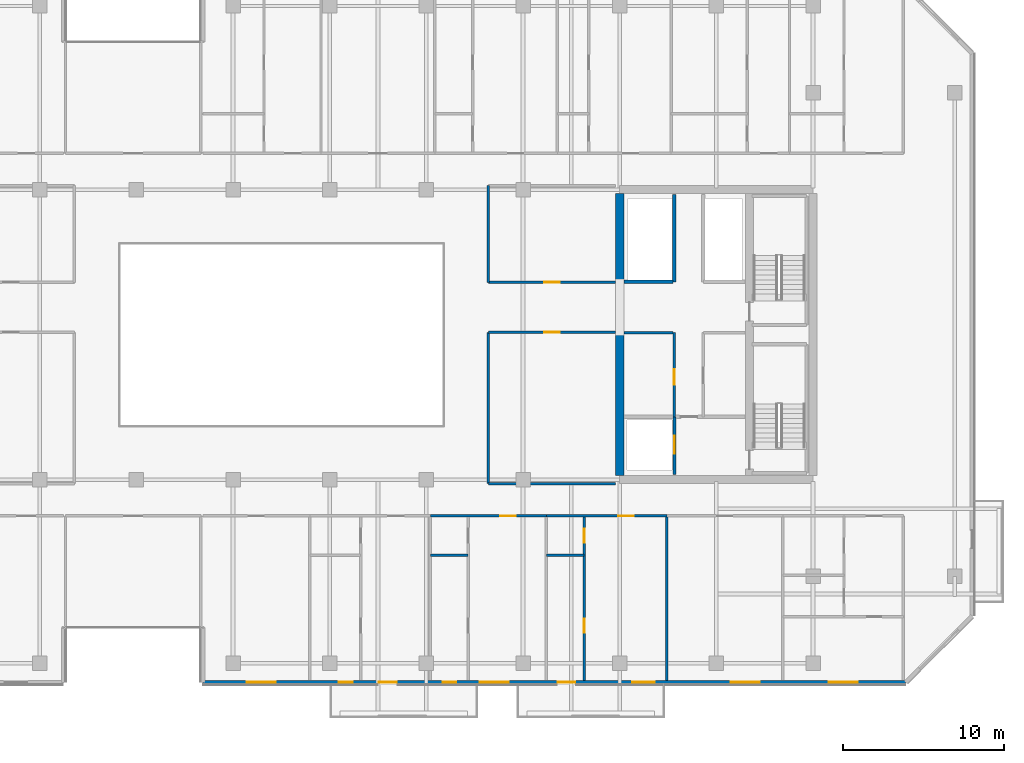
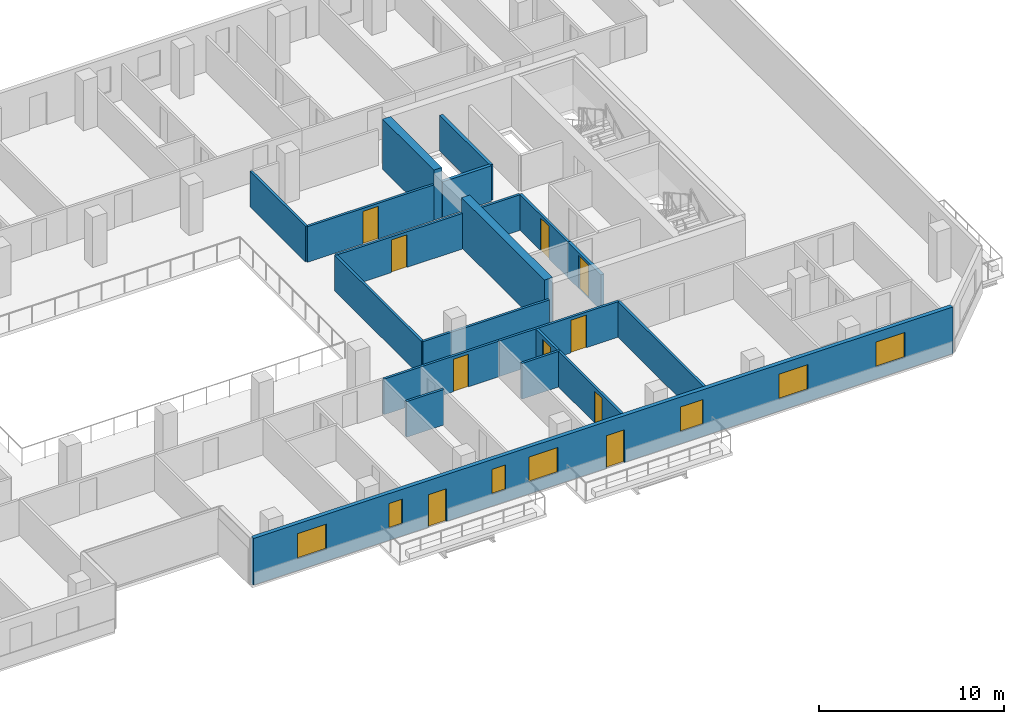
# One storey, part 11 of 19: 19 walls, 10 doors, 7 windows, 17 openings.
"""IFC4 building model written with IfcOpenShell, lengths in metres."""

from ifc_helpers import new_model, si_unit, direction, frame, frame_2d, origin, place, context, subcontext, project, spatial, rectangle, extrude, material, layer, layer_set, type_object, element, fill, save


model = new_model("IFC4")

# Units and contexts
model_context = context("Model", 3, precision=1e-05, world=origin(), true_north=direction((0.0, 1.0)))
body_context = subcontext(model_context, "Body", "Model", "MODEL_VIEW")
ifc_project = project(units=[si_unit("LENGTHUNIT", "METRE"), si_unit("AREAUNIT", "SQUARE_METRE"), si_unit("VOLUMEUNIT", "CUBIC_METRE"), si_unit("PLANEANGLEUNIT", "RADIAN"), si_unit("MASSUNIT", "GRAM", prefix="KILO")], contexts=[model_context])

# Site, building, storey
site_placement = place(None, origin())
site = spatial("IfcSite", under=ifc_project, at=site_placement, CompositionType="ELEMENT")
building_placement = place(site_placement, origin())
building = spatial("IfcBuilding", under=site, at=building_placement, Name="Tanjung Sevakor Pilgrim Tower", CompositionType="ELEMENT")
storey_placement = place(building_placement, frame((0.0, 0.0, 132.0)))
storey = spatial("IfcBuildingStorey", under=building, at=storey_placement, Name="L36", CompositionType="ELEMENT", Elevation=132.0)

# Walls
ifc_material_1 = material(Name="Concrete C60/75", Category="concrete")
ifc_layer_1 = layer(ifc_material_1, 0.5)
ifc_layer_set_1 = layer_set([ifc_layer_1], Name="WALL-CW-500")
wall_type_1 = type_object("IfcWallType", Name="WALL-CW-500", PredefinedType="SHEAR", material=ifc_layer_set_1)
wall_1_placement = place(storey_placement, frame((78.0, 24.85009765625, 0.0), z_axis=(0.0, 0.0, 1.0), x_axis=(0.0, 1.0, 0.0)))
element("IfcWall", 1, at=wall_1_placement, inside=storey, type_object=wall_type_1, Name="L36 E Core Inner Shear Wall South", PredefinedType="SHEAR", context=body_context, shape_type="SweptSolid", body=[
    extrude(rectangle(XDim=8.949951171875, YDim=0.5, at=frame_2d((4.47509765625, 0.0))), origin(), (0.0, 0.0, 1.0), 3.300048828125),
])
wall_2_placement = place(storey_placement, frame((78.0, 36.800048828125, 0.0), z_axis=(0.0, 0.0, 1.0), x_axis=(0.0, 1.0, 0.0)))
element("IfcWall", 2, at=wall_2_placement, inside=storey, type_object=wall_type_1, Name="L36 E Core Inner Shear Wall North", PredefinedType="SHEAR", context=body_context, shape_type="SweptSolid", body=[
    extrude(rectangle(XDim=5.550048828125, YDim=0.5, at=frame_2d((2.77490234375, 0.0))), origin(), (0.0, 0.0, 1.0), 3.300048828125),
])
ifc_material_2 = material(Name="Concrete C40/50", Category="concrete")
ifc_layer_2 = layer(ifc_material_2, 0.14990234375)
ifc_layer_set_2 = layer_set([ifc_layer_2], Name="WT-COMP-150")
wall_type_2 = type_object("IfcWallType", Name="WT-COMP-150", PredefinedType="SOLIDWALL", material=ifc_layer_set_2)
wall_3_placement = place(storey_placement, frame((78.27001953125, 33.719970703125, 0.0), z_axis=(0.0, 0.0, 1.0), x_axis=(1.0, 0.0, 0.0)))
element("IfcWall", 3, at=wall_3_placement, inside=storey, type_object=wall_type_2, Name="L36 Partition IW-L36-015", PredefinedType="SOLIDWALL", context=body_context, shape_type="SweptSolid", body=[
    extrude(rectangle(XDim=3.050048828125, YDim=0.14990234375, at=frame_2d((1.52490234375, 0.0))), origin(), (0.0, 0.0, 1.0), 2.35009765625),
])

# Wall, opening, door
wall_4_placement = place(storey_placement, frame((81.3798828125, 28.5, 0.0), z_axis=(0.0, 0.0, 1.0), x_axis=(0.0, 1.0, 0.0)))
wall_4 = element("IfcWall", 4, at=wall_4_placement, inside=storey, type_object=wall_type_2, Name="L36 Partition IW-L36-016", PredefinedType="SOLIDWALL", context=body_context, shape_type="SweptSolid", body=[
    extrude(rectangle(XDim=5.219970703125, YDim=0.14990234375, at=frame_2d((2.60986328125, 0.0))), origin(), (0.0, 0.0, 1.0), 2.35009765625),
])
opening_1_placement = place(wall_4_placement, frame((2.0, 0.0, 0.0)))
opening_1 = element("IfcOpeningElement", 5, at=opening_1_placement, cuts=wall_4, Name="Opening ID-FD2", PredefinedType="OPENING", context=body_context, shape_type="SweptSolid", body=[
    extrude(rectangle(XDim=0.949951171875, YDim=2.14990234375, at=frame_2d((0.47509765625, 1.074951171875))), frame((0.0, 0.0849609375, 0.0), z_axis=(0.0, -1.0, 0.0), x_axis=(1.0, 0.0, 0.0)), (0.0, 0.0, 1.0), 0.169921875),
])
ifc_material_3 = material(Name="Fire-Rated Timber", Category="wood")
door_type_1 = type_object("IfcDoorType", Name="DT-FIRE-950", OperationType="NOTDEFINED", PredefinedType="DOOR", material=ifc_material_3)
door_1_placement = place(opening_1_placement, origin())
door_1 = element("IfcDoor", 6, at=door_1_placement, inside=storey, type_object=door_type_1, Name="L36 Accessible WC Door", OperationType="SINGLE_SWING_RIGHT", OverallHeight=2.14990234375, OverallWidth=0.949951171875, PredefinedType="DOOR", context=body_context, shape_type="SweptSolid", body=[
    extrude(rectangle(XDim=0.949951171875, YDim=2.14990234375, at=frame_2d((0.47509765625, 1.074951171875))), frame((0.0, 0.02490234375, 0.0), z_axis=(0.0, -1.0, 0.0), x_axis=(1.0, 0.0, 0.0)), (0.0, 0.0, 1.0), 0.050048828125),
])
fill(opening_1, door_1)

# Wall
wall_5_placement = place(storey_placement, frame((69.85009765625, 24.35009765625, 0.0), z_axis=(0.0, 0.0, 1.0), x_axis=(1.0, 0.0, 0.0)))
element("IfcWall", 7, at=wall_5_placement, inside=storey, type_object=wall_type_2, Name="L36 Partition IW-L36-027", PredefinedType="SOLIDWALL", context=body_context, shape_type="SweptSolid", body=[
    extrude(rectangle(XDim=7.8798828125, YDim=0.14990234375, at=frame_2d((3.93994140625, 0.0))), origin(), (0.0, 0.0, 1.0), 2.35009765625),
])

# Wall, opening, door
wall_6_placement = place(storey_placement, frame((69.85009765625, 33.75, 0.0), z_axis=(0.0, 0.0, 1.0), x_axis=(1.0, 0.0, 0.0)))
wall_6 = element("IfcWall", 8, at=wall_6_placement, inside=storey, type_object=wall_type_2, Name="L36 Partition IW-L36-028", PredefinedType="SOLIDWALL", context=body_context, shape_type="SweptSolid", body=[
    extrude(rectangle(XDim=7.8798828125, YDim=0.14990234375, at=frame_2d((3.93994140625, 0.0))), origin(), (0.0, 0.0, 1.0), 2.35009765625),
])
opening_2_placement = place(wall_6_placement, frame((3.465087890625, 0.0, 0.0)))
opening_2 = element("IfcOpeningElement", 9, at=opening_2_placement, cuts=wall_6, Name="Opening ID-RM1", PredefinedType="OPENING", context=body_context, shape_type="SweptSolid", body=[
    extrude(rectangle(XDim=0.949951171875, YDim=2.14990234375, at=frame_2d((0.47509765625, 1.074951171875))), frame((0.0, 0.0849609375, 0.0), z_axis=(0.0, -1.0, 0.0), x_axis=(1.0, 0.0, 0.0)), (0.0, 0.0, 1.0), 0.169921875),
])
ifc_material_4 = material(Name="Hardwood Timber", Category="wood")
door_type_2 = type_object("IfcDoorType", Name="DT-INT-950", OperationType="NOTDEFINED", PredefinedType="DOOR", material=ifc_material_4)
door_2_placement = place(opening_2_placement, origin())
door_2 = element("IfcDoor", 10, at=door_2_placement, inside=storey, type_object=door_type_2, Name="L36 East Inboard South Door", OperationType="SINGLE_SWING_LEFT", OverallHeight=2.14990234375, OverallWidth=0.949951171875, PredefinedType="DOOR", context=body_context, shape_type="SweptSolid", body=[
    extrude(rectangle(XDim=0.949951171875, YDim=2.14990234375, at=frame_2d((0.47509765625, 1.074951171875))), frame((0.0, 0.02490234375, 0.0), z_axis=(0.0, -1.0, 0.0), x_axis=(1.0, 0.0, 0.0)), (0.0, 0.0, 1.0), 0.050048828125),
])
fill(opening_2, door_2)

# Wall
wall_7_placement = place(storey_placement, frame((69.85009765625, 24.35009765625, 0.0), z_axis=(0.0, 0.0, 1.0), x_axis=(0.0, 1.0, 0.0)))
element("IfcWall", 11, at=wall_7_placement, inside=storey, type_object=wall_type_2, Name="L36 Partition IW-L36-029", PredefinedType="SOLIDWALL", context=body_context, shape_type="SweptSolid", body=[
    extrude(rectangle(XDim=9.39990234375, YDim=0.14990234375, at=frame_2d((4.699951171875, 0.0))), origin(), (0.0, 0.0, 1.0), 2.35009765625),
])

# Wall, opening, door
wall_8_placement = place(storey_placement, frame((69.85009765625, 36.85009765625, 0.0), z_axis=(0.0, 0.0, 1.0), x_axis=(1.0, 0.0, 0.0)))
wall_8 = element("IfcWall", 12, at=wall_8_placement, inside=storey, type_object=wall_type_2, Name="L36 Partition IW-L36-030", PredefinedType="SOLIDWALL", context=body_context, shape_type="SweptSolid", body=[
    extrude(rectangle(XDim=7.8798828125, YDim=0.14990234375, at=frame_2d((3.93994140625, 0.0))), origin(), (0.0, 0.0, 1.0), 2.35009765625),
])
opening_3_placement = place(wall_8_placement, frame((3.465087890625, 0.0, 0.0)))
opening_3 = element("IfcOpeningElement", 13, at=opening_3_placement, cuts=wall_8, Name="Opening ID-RM1", PredefinedType="OPENING", context=body_context, shape_type="SweptSolid", body=[
    extrude(rectangle(XDim=0.949951171875, YDim=2.14990234375, at=frame_2d((0.47509765625, 1.074951171875))), frame((0.0, 0.0849609375, 0.0), z_axis=(0.0, -1.0, 0.0), x_axis=(1.0, 0.0, 0.0)), (0.0, 0.0, 1.0), 0.169921875),
])
door_3_placement = place(opening_3_placement, origin())
door_3 = element("IfcDoor", 14, at=door_3_placement, inside=storey, type_object=door_type_2, Name="L36 East Inboard North Door", OperationType="SINGLE_SWING_RIGHT", OverallHeight=2.14990234375, OverallWidth=0.949951171875, PredefinedType="DOOR", context=body_context, shape_type="SweptSolid", body=[
    extrude(rectangle(XDim=0.949951171875, YDim=2.14990234375, at=frame_2d((0.47509765625, 1.074951171875))), frame((0.0, 0.02490234375, 0.0), z_axis=(0.0, -1.0, 0.0), x_axis=(1.0, 0.0, 0.0)), (0.0, 0.0, 1.0), 0.050048828125),
])
fill(opening_3, door_3)

# Wall
wall_9_placement = place(storey_placement, frame((69.85009765625, 36.85009765625, 0.0), z_axis=(0.0, 0.0, 1.0), x_axis=(0.0, 1.0, 0.0)))
element("IfcWall", 15, at=wall_9_placement, inside=storey, type_object=wall_type_2, Name="L36 Partition IW-L36-032", PredefinedType="SOLIDWALL", context=body_context, shape_type="SweptSolid", body=[
    extrude(rectangle(XDim=6.0, YDim=0.14990234375, at=frame_2d((3.0, 0.0))), origin(), (0.0, 0.0, 1.0), 2.35009765625),
])

# Wall, opening, door
wall_10_placement = place(storey_placement, frame((66.244140625, 22.35009765625, 0.0), z_axis=(0.0, 0.0, 1.0), x_axis=(1.0, 0.0, 0.0)))
wall_10 = element("IfcWall", 16, at=wall_10_placement, inside=storey, type_object=wall_type_2, Name="L36 Partition IW-L36-059", PredefinedType="SOLIDWALL", context=body_context, shape_type="SweptSolid", body=[
    extrude(rectangle(XDim=7.200439453125, YDim=0.14990234375, at=frame_2d((3.60009765625, 0.0))), origin(), (0.0, 0.0, 1.0), 2.35009765625),
])
opening_4_placement = place(wall_10_placement, frame((4.34033203125, 0.0, 0.0)))
opening_4 = element("IfcOpeningElement", 17, at=opening_4_placement, cuts=wall_10, Name="Opening ID-FD2", PredefinedType="OPENING", context=body_context, shape_type="SweptSolid", body=[
    extrude(rectangle(XDim=0.949951171875, YDim=2.14990234375, at=frame_2d((0.47509765625, 1.074951171875))), frame((0.0, 0.0849609375, 0.0), z_axis=(0.0, -1.0, 0.0), x_axis=(1.0, 0.0, 0.0)), (0.0, 0.0, 1.0), 0.169921875),
])
door_4_placement = place(opening_4_placement, origin())
door_4 = element("IfcDoor", 18, at=door_4_placement, inside=storey, type_object=door_type_1, Name="Hostel Quad Entrance", OperationType="SINGLE_SWING_LEFT", OverallHeight=2.14990234375, OverallWidth=0.949951171875, PredefinedType="DOOR", context=body_context, shape_type="SweptSolid", body=[
    extrude(rectangle(XDim=0.949951171875, YDim=2.14990234375, at=frame_2d((0.47509765625, 1.074951171875))), frame((0.0, 0.02490234375, 0.0), z_axis=(0.0, -1.0, 0.0), x_axis=(1.0, 0.0, 0.0)), (0.0, 0.0, 1.0), 0.050048828125),
])
fill(opening_4, door_4)

# Wall
wall_11_placement = place(storey_placement, frame((80.922119140625, 12.14990234375, 0.0), z_axis=(0.0, 0.0, 1.0), x_axis=(0.0, 1.0, 0.0)))
element("IfcWall", 19, at=wall_11_placement, inside=storey, type_object=wall_type_2, Name="L36 Partition IW-L36-060", PredefinedType="SOLIDWALL", context=body_context, shape_type="SweptSolid", body=[
    extrude(rectangle(XDim=10.2001953125, YDim=0.14990234375, at=frame_2d((5.10009765625, 0.0))), origin(), (0.0, 0.0, 1.0), 2.35009765625),
])

# Wall, opening, door
wall_12_placement = place(storey_placement, frame((73.444580078125, 22.35009765625, 0.0), z_axis=(0.0, 0.0, 1.0), x_axis=(1.0, 0.0, 0.0)))
wall_12 = element("IfcWall", 20, at=wall_12_placement, inside=storey, type_object=wall_type_2, Name="L36 Partition IW-L36-063", PredefinedType="SOLIDWALL", context=body_context, shape_type="SweptSolid", body=[
    extrude(rectangle(XDim=7.4775390625, YDim=0.14990234375, at=frame_2d((3.73876953125, 0.0))), origin(), (0.0, 0.0, 1.0), 2.35009765625),
])
opening_5_placement = place(wall_12_placement, frame((4.478759765625, 0.0, 0.0)))
opening_5 = element("IfcOpeningElement", 21, at=opening_5_placement, cuts=wall_12, Name="Opening ID-FD2", PredefinedType="OPENING", context=body_context, shape_type="SweptSolid", body=[
    extrude(rectangle(XDim=0.949951171875, YDim=2.14990234375, at=frame_2d((0.47509765625, 1.074951171875))), frame((0.0, 0.0849609375, 0.0), z_axis=(0.0, -1.0, 0.0), x_axis=(1.0, 0.0, 0.0)), (0.0, 0.0, 1.0), 0.169921875),
])
door_5_placement = place(opening_5_placement, origin())
door_5 = element("IfcDoor", 22, at=door_5_placement, inside=storey, type_object=door_type_1, Name="Hostel Quad Entrance", OperationType="SINGLE_SWING_RIGHT", OverallHeight=2.14990234375, OverallWidth=0.949951171875, PredefinedType="DOOR", context=body_context, shape_type="SweptSolid", body=[
    extrude(rectangle(XDim=0.949951171875, YDim=2.14990234375, at=frame_2d((0.47509765625, 1.074951171875))), frame((0.0, 0.02490234375, 0.0), z_axis=(0.0, -1.0, 0.0), x_axis=(1.0, 0.0, 0.0)), (0.0, 0.0, 1.0), 0.050048828125),
])
fill(opening_5, door_5)

# Wall, openings, doors, windows
ifc_material_5 = material(Name="Precast concrete C45/55", Category="concrete")
ifc_layer_3 = layer(ifc_material_5, 0.25)
ifc_layer_set_3 = layer_set([ifc_layer_3], Name="WT-EW-STN3")
wall_type_3 = type_object("IfcWallType", Name="WT-EW-STN3", PredefinedType="SOLIDWALL", material=ifc_layer_set_3)
wall_13_placement = place(storey_placement, frame((52.125, 12.02490234375, 0.0), z_axis=(0.0, 0.0, 1.0), x_axis=(1.0, 0.0, 0.0)))
wall_13 = element("IfcWall", 23, at=wall_13_placement, inside=storey, type_object=wall_type_3, Name="L36 MAIN Exterior Wall 5", PredefinedType="SOLIDWALL", context=body_context, shape_type="SweptSolid", body=[
    extrude(rectangle(XDim=43.623291015625, YDim=0.25, at=frame_2d((21.8115234375, 0.0))), origin(), (0.0, 0.0, 1.0), 3.080078125),
])
opening_6_placement = place(wall_13_placement, frame((10.925048828125, 0.0, 0.0)))
opening_6 = element("IfcOpeningElement", 24, at=opening_6_placement, cuts=wall_13, Name="Opening ED-BAL-1100", PredefinedType="OPENING", context=body_context, shape_type="SweptSolid", body=[
    extrude(rectangle(XDim=1.10009765625, YDim=2.14990234375, at=frame_2d((0.550048828125, 1.074951171875))), frame((0.0, 0.135009765625, 0.0), z_axis=(0.0, -1.0, 0.0), x_axis=(1.0, 0.0, 0.0)), (0.0, 0.0, 1.0), 0.27001953125),
])
opening_7_placement = place(wall_13_placement, frame((22.02490234375, 0.0, 0.0)))
opening_7 = element("IfcOpeningElement", 25, at=opening_7_placement, cuts=wall_13, Name="Opening ED-BAL-1100", PredefinedType="OPENING", context=body_context, shape_type="SweptSolid", body=[
    extrude(rectangle(XDim=1.10009765625, YDim=2.14990234375, at=frame_2d((0.550048828125, 1.074951171875))), frame((0.0, 0.135009765625, 0.0), z_axis=(0.0, -1.0, 0.0), x_axis=(1.0, 0.0, 0.0)), (0.0, 0.0, 1.0), 0.27001953125),
])
opening_8_placement = place(wall_13_placement, frame((2.73828125, 0.0, 0.780029296875)))
opening_8 = element("IfcOpeningElement", 26, at=opening_8_placement, cuts=wall_13, Name="Opening WN-Z3-1660", PredefinedType="OPENING", context=body_context, shape_type="SweptSolid", body=[
    extrude(rectangle(XDim=1.800048828125, YDim=1.659912109375, at=frame_2d((0.89990234375, 0.830078125))), frame((0.0, 0.135009765625, 0.0), z_axis=(0.0, -1.0, 0.0), x_axis=(1.0, 0.0, 0.0)), (0.0, 0.0, 1.0), 0.27001953125),
])
opening_9_placement = place(wall_13_placement, frame((8.443359375, 0.0, 0.780029296875)))
opening_9 = element("IfcOpeningElement", 27, at=opening_9_placement, cuts=wall_13, Name="Opening WN-SLM", PredefinedType="OPENING", context=body_context, shape_type="SweptSolid", body=[
    extrude(rectangle(XDim=0.85009765625, YDim=1.64990234375, at=frame_2d((0.425048828125, 0.824951171875))), frame((0.0, 0.135009765625, 0.0), z_axis=(0.0, -1.0, 0.0), x_axis=(1.0, 0.0, 0.0)), (0.0, 0.0, 1.0), 0.27001953125),
])
opening_10_placement = place(wall_13_placement, frame((14.879150390625, 0.0, 0.780029296875)))
opening_10 = element("IfcOpeningElement", 28, at=opening_10_placement, cuts=wall_13, Name="Opening WN-SLM", PredefinedType="OPENING", context=body_context, shape_type="SweptSolid", body=[
    extrude(rectangle(XDim=0.85009765625, YDim=1.64990234375, at=frame_2d((0.425048828125, 0.824951171875))), frame((0.0, 0.135009765625, 0.0), z_axis=(0.0, -1.0, 0.0), x_axis=(1.0, 0.0, 0.0)), (0.0, 0.0, 1.0), 0.27001953125),
])
opening_11_placement = place(wall_13_placement, frame((17.184326171875, 0.0, 0.780029296875)))
opening_11 = element("IfcOpeningElement", 29, at=opening_11_placement, cuts=wall_13, Name="Opening WN-Z3-1660", PredefinedType="OPENING", context=body_context, shape_type="SweptSolid", body=[
    extrude(rectangle(XDim=1.800048828125, YDim=1.659912109375, at=frame_2d((0.89990234375, 0.830078125))), frame((0.0, 0.135009765625, 0.0), z_axis=(0.0, -1.0, 0.0), x_axis=(1.0, 0.0, 0.0)), (0.0, 0.0, 1.0), 0.27001953125),
])
opening_12_placement = place(wall_13_placement, frame((26.643310546875, 0.0, 0.780029296875)))
opening_12 = element("IfcOpeningElement", 30, at=opening_12_placement, cuts=wall_13, Name="Opening WN-END", PredefinedType="OPENING", context=body_context, shape_type="SweptSolid", body=[
    extrude(rectangle(XDim=1.39990234375, YDim=1.64990234375, at=frame_2d((0.699951171875, 0.824951171875))), frame((0.0, 0.135009765625, 0.0), z_axis=(0.0, -1.0, 0.0), x_axis=(1.0, 0.0, 0.0)), (0.0, 0.0, 1.0), 0.27001953125),
])
opening_13_placement = place(wall_13_placement, frame((32.77734375, 0.0, 0.780029296875)))
opening_13 = element("IfcOpeningElement", 31, at=opening_13_placement, cuts=wall_13, Name="Opening WN-Z3-1660", PredefinedType="OPENING", context=body_context, shape_type="SweptSolid", body=[
    extrude(rectangle(XDim=1.800048828125, YDim=1.659912109375, at=frame_2d((0.89990234375, 0.830078125))), frame((0.0, 0.135009765625, 0.0), z_axis=(0.0, -1.0, 0.0), x_axis=(1.0, 0.0, 0.0)), (0.0, 0.0, 1.0), 0.27001953125),
])
opening_14_placement = place(wall_13_placement, frame((38.836181640625, 0.0, 0.780029296875)))
opening_14 = element("IfcOpeningElement", 32, at=opening_14_placement, cuts=wall_13, Name="Opening WN-Z3-1660", PredefinedType="OPENING", context=body_context, shape_type="SweptSolid", body=[
    extrude(rectangle(XDim=1.800048828125, YDim=1.659912109375, at=frame_2d((0.89990234375, 0.830078125))), frame((0.0, 0.135009765625, 0.0), z_axis=(0.0, -1.0, 0.0), x_axis=(1.0, 0.0, 0.0)), (0.0, 0.0, 1.0), 0.27001953125),
])
ifc_material_6 = material(Name="Anodised Aluminium and Laminated Glass", Category="aluminium")
door_type_3 = type_object("IfcDoorType", Name="DTYP-ED-BAL-1100", OperationType="NOTDEFINED", PredefinedType="DOOR", material=ifc_material_6)
door_6_placement = place(opening_6_placement, frame((1.10009765625, 0.0, 0.0), z_axis=(0.0, 0.0, 1.0), x_axis=(-1.0, 0.0, 0.0)))
door_6 = element("IfcDoor", 33, at=door_6_placement, inside=storey, type_object=door_type_3, Name="L36 Balcony Door MAIN-S2", OperationType="SINGLE_SWING_LEFT", OverallHeight=2.14990234375, OverallWidth=1.10009765625, PredefinedType="DOOR", context=body_context, shape_type="SweptSolid", body=[
    extrude(rectangle(XDim=1.10009765625, YDim=2.14990234375, at=frame_2d((0.550048828125, 1.074951171875))), frame((0.0, 0.02490234375, 0.0), z_axis=(0.0, -1.0, 0.0), x_axis=(1.0, 0.0, 0.0)), (0.0, 0.0, 1.0), 0.050048828125),
])
fill(opening_6, door_6)
door_7_placement = place(opening_7_placement, frame((1.10009765625, 0.0, 0.0), z_axis=(0.0, 0.0, 1.0), x_axis=(-1.0, 0.0, 0.0)))
door_7 = element("IfcDoor", 34, at=door_7_placement, inside=storey, type_object=door_type_3, Name="L36 Balcony Door MAIN-S3", OperationType="SINGLE_SWING_RIGHT", OverallHeight=2.14990234375, OverallWidth=1.10009765625, PredefinedType="DOOR", context=body_context, shape_type="SweptSolid", body=[
    extrude(rectangle(XDim=1.10009765625, YDim=2.14990234375, at=frame_2d((0.550048828125, 1.074951171875))), frame((0.0, 0.02490234375, 0.0), z_axis=(0.0, -1.0, 0.0), x_axis=(1.0, 0.0, 0.0)), (0.0, 0.0, 1.0), 0.050048828125),
])
fill(opening_7, door_7)
ifc_material_7 = material(Name="Thermally Broken Aluminium and Low-E Glass", Category="aluminium")
window_type_1 = type_object("IfcWindowType", Name="WTYP-WN-END", PartitioningType="SINGLE_PANEL", PredefinedType="WINDOW", material=ifc_material_7)
window_1_placement = place(opening_12_placement, origin())
window_1 = element("IfcWindow", 35, at=window_1_placement, inside=storey, type_object=window_type_1, Name="L36 Facade Window 05", OverallHeight=1.64990234375, OverallWidth=1.39990234375, PartitioningType="SINGLE_PANEL", PredefinedType="WINDOW", context=body_context, shape_type="SweptSolid", body=[
    extrude(rectangle(XDim=1.39990234375, YDim=1.64990234375, at=frame_2d((0.699951171875, 0.824951171875))), frame((0.0, 0.030029296875, 0.0), z_axis=(0.0, -1.0, 0.0), x_axis=(1.0, 0.0, 0.0)), (0.0, 0.0, 1.0), 0.06005859375),
])
fill(opening_12, window_1)
ifc_material_8 = material(Name="Thermally Broken Aluminium and Low-E Glass", Category="aluminium")
window_type_2 = type_object("IfcWindowType", Name="WTYP-WN-SLM", PartitioningType="SINGLE_PANEL", PredefinedType="WINDOW", material=ifc_material_8)
window_2_placement = place(opening_9_placement, origin())
window_2 = element("IfcWindow", 36, at=window_2_placement, inside=storey, type_object=window_type_2, Name="L36 Facade Window 02", OverallHeight=1.64990234375, OverallWidth=0.85009765625, PartitioningType="SINGLE_PANEL", PredefinedType="WINDOW", context=body_context, shape_type="SweptSolid", body=[
    extrude(rectangle(XDim=0.85009765625, YDim=1.64990234375, at=frame_2d((0.425048828125, 0.824951171875))), frame((0.0, 0.030029296875, 0.0), z_axis=(0.0, -1.0, 0.0), x_axis=(1.0, 0.0, 0.0)), (0.0, 0.0, 1.0), 0.06005859375),
])
fill(opening_9, window_2)
window_3_placement = place(opening_10_placement, origin())
window_3 = element("IfcWindow", 37, at=window_3_placement, inside=storey, type_object=window_type_2, Name="L36 Facade Window 03", OverallHeight=1.64990234375, OverallWidth=0.85009765625, PartitioningType="SINGLE_PANEL", PredefinedType="WINDOW", context=body_context, shape_type="SweptSolid", body=[
    extrude(rectangle(XDim=0.85009765625, YDim=1.64990234375, at=frame_2d((0.425048828125, 0.824951171875))), frame((0.0, 0.030029296875, 0.0), z_axis=(0.0, -1.0, 0.0), x_axis=(1.0, 0.0, 0.0)), (0.0, 0.0, 1.0), 0.06005859375),
])
fill(opening_10, window_3)
ifc_material_9 = material(Name="Thermally Broken Aluminium and Low-E Glass", Category="aluminium")
window_type_3 = type_object("IfcWindowType", Name="WTYP-WN-Z3-1660", PartitioningType="DOUBLE_PANEL_VERTICAL", PredefinedType="WINDOW", material=ifc_material_9)
window_4_placement = place(opening_8_placement, origin())
window_4 = element("IfcWindow", 38, at=window_4_placement, inside=storey, type_object=window_type_3, Name="L36 Facade Window 01", OverallHeight=1.659912109375, OverallWidth=1.800048828125, PartitioningType="SINGLE_PANEL", PredefinedType="WINDOW", context=body_context, shape_type="SweptSolid", body=[
    extrude(rectangle(XDim=1.800048828125, YDim=1.659912109375, at=frame_2d((0.89990234375, 0.830078125))), frame((0.0, 0.030029296875, 0.0), z_axis=(0.0, -1.0, 0.0), x_axis=(1.0, 0.0, 0.0)), (0.0, 0.0, 1.0), 0.06005859375),
])
fill(opening_8, window_4)
window_5_placement = place(opening_11_placement, origin())
window_5 = element("IfcWindow", 39, at=window_5_placement, inside=storey, type_object=window_type_3, Name="L36 Facade Window 04", OverallHeight=1.659912109375, OverallWidth=1.800048828125, PartitioningType="SINGLE_PANEL", PredefinedType="WINDOW", context=body_context, shape_type="SweptSolid", body=[
    extrude(rectangle(XDim=1.800048828125, YDim=1.659912109375, at=frame_2d((0.89990234375, 0.830078125))), frame((0.0, 0.030029296875, 0.0), z_axis=(0.0, -1.0, 0.0), x_axis=(1.0, 0.0, 0.0)), (0.0, 0.0, 1.0), 0.06005859375),
])
fill(opening_11, window_5)
window_6_placement = place(opening_13_placement, origin())
window_6 = element("IfcWindow", 40, at=window_6_placement, inside=storey, type_object=window_type_3, Name="L36 Facade Window 06", OverallHeight=1.659912109375, OverallWidth=1.800048828125, PartitioningType="SINGLE_PANEL", PredefinedType="WINDOW", context=body_context, shape_type="SweptSolid", body=[
    extrude(rectangle(XDim=1.800048828125, YDim=1.659912109375, at=frame_2d((0.89990234375, 0.830078125))), frame((0.0, 0.030029296875, 0.0), z_axis=(0.0, -1.0, 0.0), x_axis=(1.0, 0.0, 0.0)), (0.0, 0.0, 1.0), 0.06005859375),
])
fill(opening_13, window_6)
window_7_placement = place(opening_14_placement, origin())
window_7 = element("IfcWindow", 41, at=window_7_placement, inside=storey, type_object=window_type_3, Name="L36 Facade Window 07", OverallHeight=1.659912109375, OverallWidth=1.800048828125, PartitioningType="SINGLE_PANEL", PredefinedType="WINDOW", context=body_context, shape_type="SweptSolid", body=[
    extrude(rectangle(XDim=1.800048828125, YDim=1.659912109375, at=frame_2d((0.89990234375, 0.830078125))), frame((0.0, 0.030029296875, 0.0), z_axis=(0.0, -1.0, 0.0), x_axis=(1.0, 0.0, 0.0)), (0.0, 0.0, 1.0), 0.06005859375),
])
fill(opening_14, window_7)

# Wall, opening, door
ifc_material_10 = material(Name="Concrete C40/50", Category="concrete")
ifc_layer_4 = layer(ifc_material_10, 0.199951171875)
ifc_layer_set_4 = layer_set([ifc_layer_4], Name="WT-FPRT-200")
wall_type_4 = type_object("IfcWallType", Name="WT-FPRT-200", PredefinedType="SOLIDWALL", material=ifc_layer_set_4)
wall_14_placement = place(storey_placement, frame((81.39990234375, 24.919921875, 0.0), z_axis=(0.0, 0.0, 1.0), x_axis=(0.0, 1.0, 0.0)))
wall_14 = element("IfcWall", 42, at=wall_14_placement, inside=storey, type_object=wall_type_4, Name="L36 Partition IW-L36-011", PredefinedType="SOLIDWALL", context=body_context, shape_type="SweptSolid", body=[
    extrude(rectangle(XDim=3.580078125, YDim=0.199951171875, at=frame_2d((1.7900390625, 0.0))), origin(), (0.0, 0.0, 1.0), 2.35009765625),
])
opening_15_placement = place(wall_14_placement, frame((1.300048828125, 0.0, 0.0)))
opening_15 = element("IfcOpeningElement", 43, at=opening_15_placement, cuts=wall_14, Name="Opening LD-1100", PredefinedType="OPENING", context=body_context, shape_type="SweptSolid", body=[
    extrude(rectangle(XDim=1.10009765625, YDim=2.199951171875, at=frame_2d((0.550048828125, 1.10009765625))), frame((0.0, 0.10986328125, 0.0), z_axis=(0.0, -1.0, 0.0), x_axis=(1.0, 0.0, 0.0)), (0.0, 0.0, 1.0), 0.219970703125),
])
ifc_material_11 = material(Name="Brushed Stainless Steel S355J2", Category="steel")
door_type_4 = type_object("IfcDoorType", Name="DT-LIFT-1100", OperationType="SLIDING_TO_LEFT", PredefinedType="DOOR", material=ifc_material_11)
door_8_placement = place(opening_15_placement, origin())
door_8 = element("IfcDoor", 44, at=door_8_placement, inside=storey, type_object=door_type_4, Name="LD-FL-E", OperationType="SLIDING_TO_LEFT", OverallHeight=2.199951171875, OverallWidth=1.10009765625, PredefinedType="DOOR", context=body_context, shape_type="SweptSolid", body=[
    extrude(rectangle(XDim=1.10009765625, YDim=2.199951171875, at=frame_2d((0.550048828125, 1.10009765625))), frame((0.0, 0.02490234375, 0.0), z_axis=(0.0, -1.0, 0.0), x_axis=(1.0, 0.0, 0.0)), (0.0, 0.0, 1.0), 0.050048828125),
])
fill(opening_15, door_8)

# Walls
wall_15_placement = place(storey_placement, frame((78.27001953125, 36.8798828125, 0.0), z_axis=(0.0, 0.0, 1.0), x_axis=(1.0, 0.0, 0.0)))
element("IfcWall", 45, at=wall_15_placement, inside=storey, type_object=wall_type_4, Name="L36 Partition IW-L36-019", PredefinedType="SOLIDWALL", context=body_context, shape_type="SweptSolid", body=[
    extrude(rectangle(XDim=3.050048828125, YDim=0.199951171875, at=frame_2d((1.52490234375, 0.0))), origin(), (0.0, 0.0, 1.0), 2.35009765625),
])
wall_16_placement = place(storey_placement, frame((81.3798828125, 36.8798828125, 0.0), z_axis=(0.0, 0.0, 1.0), x_axis=(0.0, 1.0, 0.0)))
element("IfcWall", 46, at=wall_16_placement, inside=storey, type_object=wall_type_4, Name="L36 Partition IW-L36-020", PredefinedType="SOLIDWALL", context=body_context, shape_type="SweptSolid", body=[
    extrude(rectangle(XDim=5.420166015625, YDim=0.199951171875, at=frame_2d((2.7099609375, 0.0))), origin(), (0.0, 0.0, 1.0), 2.35009765625),
])
ifc_material_12 = material(Name="Gypsum Board Partition", Category="gypsum board")
ifc_layer_5 = layer(ifc_material_12, 0.14990234375)
ifc_layer_set_5 = layer_set([ifc_layer_5], Name="WT-PART-150")
wall_type_5 = type_object("IfcWallType", Name="WT-PART-150", PredefinedType="PARTITIONING", material=ifc_layer_set_5)
wall_17_placement = place(storey_placement, frame((66.244140625, 19.89990234375, 0.0), z_axis=(0.0, 0.0, 1.0), x_axis=(1.0, 0.0, 0.0)))
element("IfcWall", 47, at=wall_17_placement, inside=storey, type_object=wall_type_5, Name="L36 Partition IW-L36-057", PredefinedType="PARTITIONING", context=body_context, shape_type="SweptSolid", body=[
    extrude(rectangle(XDim=2.349853515625, YDim=0.14990234375, at=frame_2d((1.1748046875, 0.0))), origin(), (0.0, 0.0, 1.0), 2.35009765625),
])
wall_18_placement = place(storey_placement, frame((73.444580078125, 19.89990234375, 0.0), z_axis=(0.0, 0.0, 1.0), x_axis=(1.0, 0.0, 0.0)))
element("IfcWall", 48, at=wall_18_placement, inside=storey, type_object=wall_type_5, Name="L36 Partition IW-L36-061", PredefinedType="PARTITIONING", context=body_context, shape_type="SweptSolid", body=[
    extrude(rectangle(XDim=2.35009765625, YDim=0.14990234375, at=frame_2d((1.175048828125, 0.0))), origin(), (0.0, 0.0, 1.0), 2.35009765625),
])

# Wall, openings, doors
wall_19_placement = place(storey_placement, frame((75.794677734375, 12.14990234375, 0.0), z_axis=(0.0, 0.0, 1.0), x_axis=(0.0, 1.0, 0.0)))
wall_19 = element("IfcWall", 49, at=wall_19_placement, inside=storey, type_object=wall_type_5, Name="L36 Partition IW-L36-062", PredefinedType="PARTITIONING", context=body_context, shape_type="SweptSolid", body=[
    extrude(rectangle(XDim=10.2001953125, YDim=0.14990234375, at=frame_2d((5.10009765625, 0.0))), origin(), (0.0, 0.0, 1.0), 2.35009765625),
])
opening_16_placement = place(wall_19_placement, frame((2.9599609375, 0.0, 0.0)))
opening_16 = element("IfcOpeningElement", 50, at=opening_16_placement, cuts=wall_19, Name="Opening ID-WC1", PredefinedType="OPENING", context=body_context, shape_type="SweptSolid", body=[
    extrude(rectangle(XDim=0.85009765625, YDim=2.10009765625, at=frame_2d((0.425048828125, 1.050048828125))), frame((0.0, 0.0849609375, 0.0), z_axis=(0.0, -1.0, 0.0), x_axis=(1.0, 0.0, 0.0)), (0.0, 0.0, 1.0), 0.169921875),
])
opening_17_placement = place(wall_19_placement, frame((8.550048828125, 0.0, 0.0)))
opening_17 = element("IfcOpeningElement", 51, at=opening_17_placement, cuts=wall_19, Name="Opening ID-WC1", PredefinedType="OPENING", context=body_context, shape_type="SweptSolid", body=[
    extrude(rectangle(XDim=0.85009765625, YDim=2.10009765625, at=frame_2d((0.425048828125, 1.050048828125))), frame((0.0, 0.0849609375, 0.0), z_axis=(0.0, -1.0, 0.0), x_axis=(1.0, 0.0, 0.0)), (0.0, 0.0, 1.0), 0.169921875),
])
ifc_material_13 = material(Name="Moisture-Resistant Timber", Category="wood")
door_type_5 = type_object("IfcDoorType", Name="DT-INT-850", OperationType="NOTDEFINED", PredefinedType="DOOR", material=ifc_material_13)
door_9_placement = place(opening_16_placement, origin())
door_9 = element("IfcDoor", 52, at=door_9_placement, inside=storey, type_object=door_type_5, Name="Study Nook Door", OperationType="SINGLE_SWING_RIGHT", OverallHeight=2.10009765625, OverallWidth=0.85009765625, PredefinedType="DOOR", context=body_context, shape_type="SweptSolid", body=[
    extrude(rectangle(XDim=0.85009765625, YDim=2.10009765625, at=frame_2d((0.425048828125, 1.050048828125))), frame((0.0, 0.02490234375, 0.0), z_axis=(0.0, -1.0, 0.0), x_axis=(1.0, 0.0, 0.0)), (0.0, 0.0, 1.0), 0.050048828125),
])
fill(opening_16, door_9)
door_10_placement = place(opening_17_placement, origin())
door_10 = element("IfcDoor", 53, at=door_10_placement, inside=storey, type_object=door_type_5, Name="Bathroom Door", OperationType="SINGLE_SWING_LEFT", OverallHeight=2.10009765625, OverallWidth=0.85009765625, PredefinedType="DOOR", context=body_context, shape_type="SweptSolid", body=[
    extrude(rectangle(XDim=0.85009765625, YDim=2.10009765625, at=frame_2d((0.425048828125, 1.050048828125))), frame((0.0, 0.02490234375, 0.0), z_axis=(0.0, -1.0, 0.0), x_axis=(1.0, 0.0, 0.0)), (0.0, 0.0, 1.0), 0.050048828125),
])
fill(opening_17, door_10)

save(model, "model.ifc")
